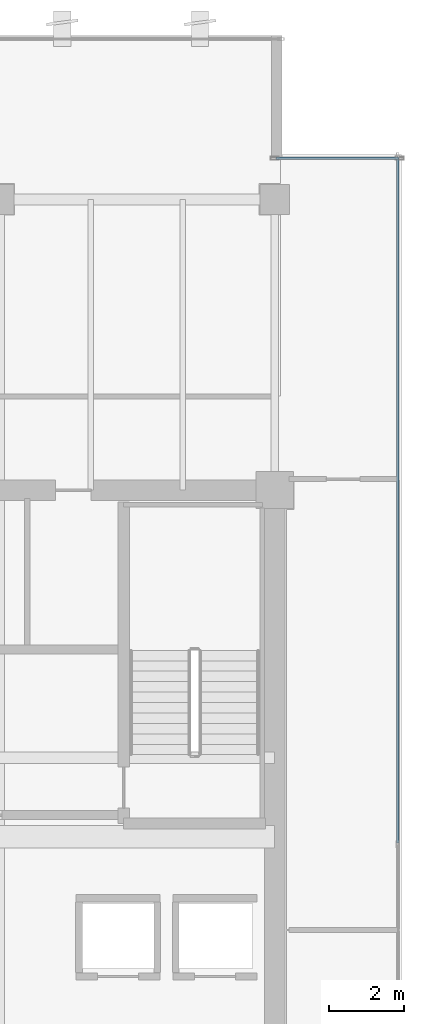
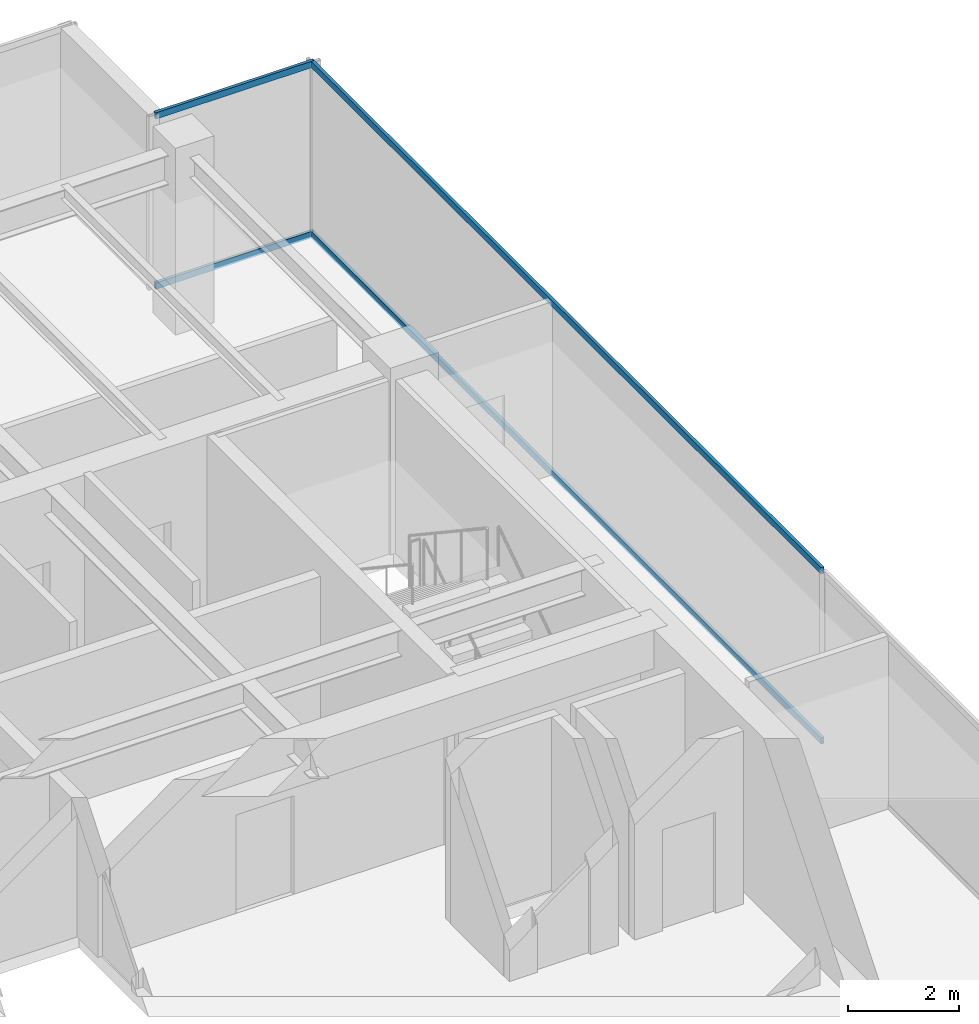
# One storey, part 25 of 36: 4 members, 2 elements without a shape of their own.
"""IFC4 building model written with IfcOpenShell, lengths in metres."""

from ifc_helpers import new_model, si_unit, direction, frame, origin, origin_2d, place, context, subcontext, project, spatial, hollow_rectangle, extrude, source, transform, mapped, material, layer, layer_set, material_profile, profile_set, type_object, type_shapes, element, aggregate, save


model = new_model("IFC4")

# Units and contexts
model_context = context("Model", 3, precision=1e-05, world=origin(), true_north=direction((0.0, 1.0)))
body_context = subcontext(model_context, "Body", "Model", "MODEL_VIEW")
ifc_project = project(units=[si_unit("LENGTHUNIT", "METRE"), si_unit("AREAUNIT", "SQUARE_METRE"), si_unit("VOLUMEUNIT", "CUBIC_METRE"), si_unit("PLANEANGLEUNIT", "RADIAN"), si_unit("MASSUNIT", "GRAM", prefix="KILO")], contexts=[model_context])

# Site, building, storey
site_placement = place(None, origin())
site = spatial("IfcSite", under=ifc_project, at=site_placement, CompositionType="ELEMENT")
building_placement = place(site_placement, origin())
building = spatial("IfcBuilding", under=site, at=building_placement, Name="Haelvirn Gate Laboratories", CompositionType="ELEMENT")
storey_placement = place(building_placement, frame((0.0, 0.0, 242.39990234375)))
storey = spatial("IfcBuildingStorey", under=building, at=storey_placement, Name="L58", CompositionType="ELEMENT", Elevation=242.39990234375)

# Curtain wall, members
ifc_material_1 = material(Name="Anodised bronze unitised aluminium & triple low-E glass", Category="aluminium")
ifc_layer_1 = layer(ifc_material_1, 0.181884765625, Name="CW-SYS-5")
ifc_layer_set_1 = layer_set([ifc_layer_1], Name="Anodised bronze unitised aluminium & triple low-E glass")
curtain_wall_type_1 = type_object("IfcCurtainWallType", Name="CW-SYS-5", PredefinedType="NOTDEFINED", material=ifc_layer_set_1)
curtain_wall_1_placement = place(storey_placement, origin())
curtain_wall_1 = element("IfcCurtainWall", 1, at=curtain_wall_1_placement, inside=storey, type_object=curtain_wall_type_1, Name="L58 Unitised Curtain Wall CW-L58-P0-E08-1", PredefinedType="NOTDEFINED")
ifc_material_2 = material(Name="Extruded aluminium 6063-T6 (anodised bronze)", Category="aluminium")
ifc_material_profile = material_profile(ifc_material_2, hollow_rectangle(XDim=0.06494140625, YDim=0.139892578125, WallThickness=0.00390625, at=origin_2d()), Name="CWT-140x65x4")
ifc_profile_set = profile_set([ifc_material_profile], Name="Extruded aluminium 6063-T6 (anodised bronze)")
member_type = type_object("IfcMemberType", Name="CWT-T140", PredefinedType="USERDEFINED", material=ifc_profile_set)
shared_shape_1 = source(origin(), body_context, "Body", "SweptSolid", [
    extrude(hollow_rectangle(XDim=0.06494140625, YDim=0.139892578125, WallThickness=0.00390625, at=origin_2d()), origin(), (0.0, 0.0, 1.0), 3.280029296875),
])
member_1_placement = place(storey_placement, frame((67.43994140625, 42.699951171875, 0.03271484375), z_axis=(1.0, 0.0, 0.0), x_axis=(0.0, 1.0, 0.0)))
member_1 = element("IfcMember", 2, at=member_1_placement, type_object=member_type, Name="CW5 transom 1.1", ObjectType="TRANSOM", PredefinedType="USERDEFINED", context=body_context, shape_type="MappedRepresentation", body=[
    mapped(shared_shape_1, transform((0.0, 0.0, 0.0), scale=1.0)),
])
member_2_placement = place(storey_placement, frame((67.43994140625, 42.699951171875, 3.767578125), z_axis=(1.0, 0.0, 0.0), x_axis=(0.0, 1.0, 0.0)))
member_2 = element("IfcMember", 3, at=member_2_placement, type_object=member_type, Name="CW5 transom 1.2", ObjectType="TRANSOM", PredefinedType="USERDEFINED", context=body_context, shape_type="MappedRepresentation", body=[
    mapped(shared_shape_1, transform((0.0, 0.0, 0.0), scale=1.0)),
])
aggregate(curtain_wall_1, [member_1, member_2])

ifc_layer_2 = layer(ifc_material_1, 0.176025390625, Name="CW-SYS-4")
ifc_layer_set_2 = layer_set([ifc_layer_2], Name="Anodised bronze unitised aluminium & triple low-E glass")
curtain_wall_type_2 = type_object("IfcCurtainWallType", Name="CW-SYS-4", PredefinedType="NOTDEFINED", material=ifc_layer_set_2)
curtain_wall_2_placement = place(storey_placement, origin())
curtain_wall_2 = element("IfcCurtainWall", 4, at=curtain_wall_2_placement, inside=storey, type_object=curtain_wall_type_2, Name="L58 Unitised Curtain Wall CW-L58-P0-E07", PredefinedType="NOTDEFINED")
shared_shape_2 = source(origin(), body_context, "Body", "SweptSolid", [
    extrude(hollow_rectangle(XDim=0.06494140625, YDim=0.139892578125, WallThickness=0.00390625, at=origin_2d()), origin(), (0.0, 0.0, 1.0), 18.39501953125),
])
type_shapes(member_type, [shared_shape_1, shared_shape_2])
member_3_placement = place(storey_placement, frame((70.699951171875, 24.3349609375, 0.03271484375), z_axis=(0.0, 1.0, 0.0), x_axis=(-1.0, 0.0, 0.0)))
member_3 = element("IfcMember", 5, at=member_3_placement, type_object=member_type, Name="CW4 transom 2.1", ObjectType="TRANSOM", PredefinedType="USERDEFINED", context=body_context, shape_type="MappedRepresentation", body=[
    mapped(shared_shape_2, transform((0.0, 0.0, 0.0), scale=1.0)),
])
member_4_placement = place(storey_placement, frame((70.699951171875, 24.3349609375, 3.767578125), z_axis=(0.0, 1.0, 0.0), x_axis=(-1.0, 0.0, 0.0)))
member_4 = element("IfcMember", 6, at=member_4_placement, type_object=member_type, Name="CW4 transom 2.2", ObjectType="TRANSOM", PredefinedType="USERDEFINED", context=body_context, shape_type="MappedRepresentation", body=[
    mapped(shared_shape_2, transform((0.0, 0.0, 0.0), scale=1.0)),
])
aggregate(curtain_wall_2, [member_3, member_4])

save(model, "model.ifc")
